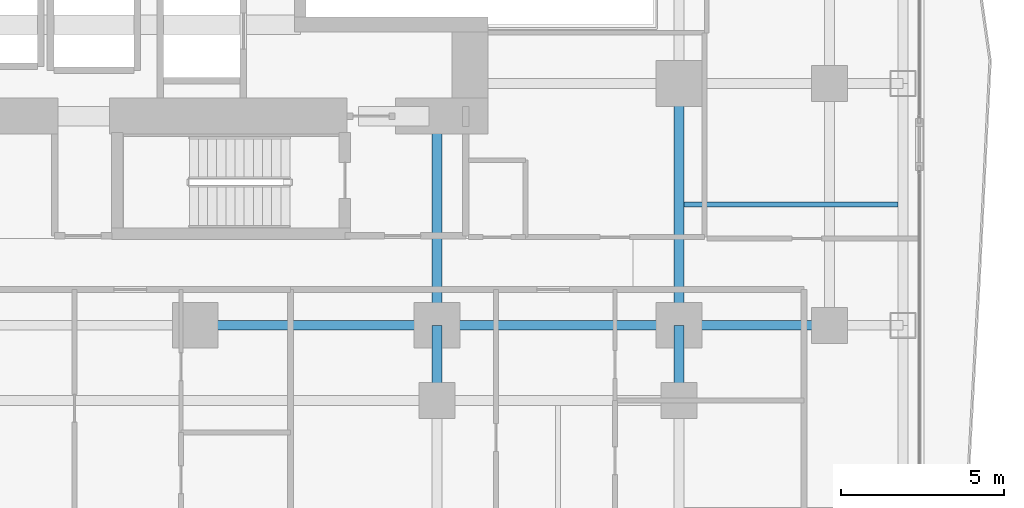
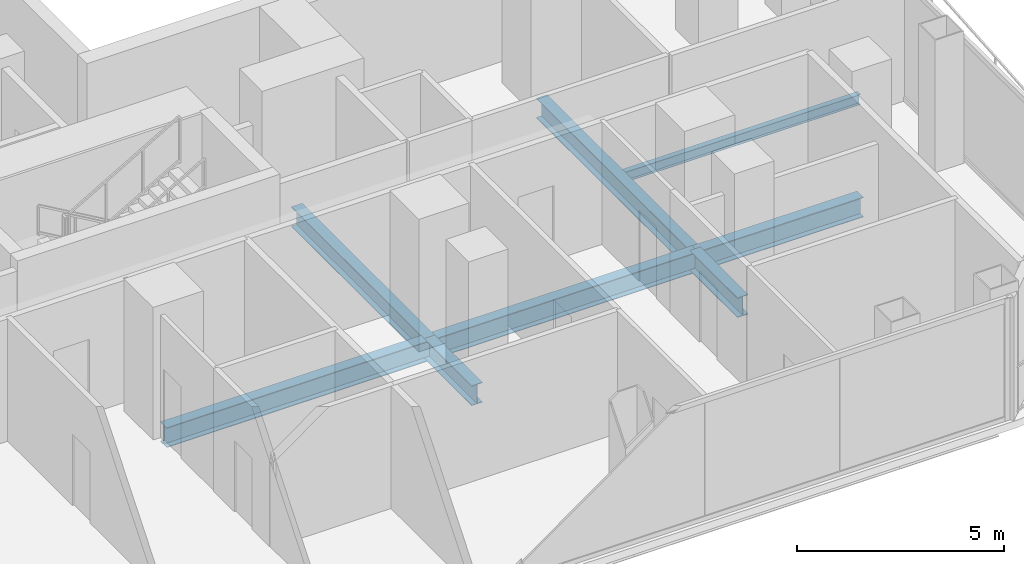
# One storey, part 9 of 29: 8 beams.
"""IFC4 building model written with IfcOpenShell, lengths in metres."""

from ifc_helpers import new_model, si_unit, direction, frame, origin, origin_2d, place, context, subcontext, project, spatial, i_section, extrude, material, material_profile, profile_set, type_object, element, save


model = new_model("IFC4")

# Units and contexts
model_context = context("Model", 3, precision=1e-05, world=origin(), true_north=direction((0.0, 1.0)))
body_context = subcontext(model_context, "Body", "Model", "MODEL_VIEW")
ifc_project = project(units=[si_unit("LENGTHUNIT", "METRE"), si_unit("AREAUNIT", "SQUARE_METRE"), si_unit("VOLUMEUNIT", "CUBIC_METRE"), si_unit("PLANEANGLEUNIT", "RADIAN"), si_unit("MASSUNIT", "GRAM", prefix="KILO")], contexts=[model_context])

# Site, building, storey
site_placement = place(None, origin())
site = spatial("IfcSite", under=ifc_project, at=site_placement, CompositionType="ELEMENT")
building_placement = place(site_placement, origin())
building = spatial("IfcBuilding", under=site, at=building_placement, Name="Khorvyn Point Tower", CompositionType="ELEMENT")
storey_placement = place(building_placement, frame((0.0, 0.0, 73.5)))
storey = spatial("IfcBuildingStorey", under=building, at=storey_placement, Name="L19", CompositionType="ELEMENT", Elevation=73.5)

# Beams
ifc_material = material(Name="Steel S355", Category="steel")
ifc_material_profile_1 = material_profile(ifc_material, i_section(OverallWidth=0.300048828125, OverallDepth=0.587890625, WebThickness=0.011962890625, FlangeThickness=0.02001953125, at=origin_2d()))
ifc_profile_set_1 = profile_set([ifc_material_profile_1], Name="Steel S355 H588x300x12x20")
beam_type_1 = type_object("IfcBeamType", Name="Steel S355 Beam H588x300x12x20", PredefinedType="BEAM", material=ifc_profile_set_1)
beam_1_placement = place(storey_placement, frame((0.0, -14.800048828125, -0.513916015625), z_axis=(1.0, 0.0, 0.0), x_axis=(0.0, 1.0, 0.0)))
element("IfcBeam", 1, at=beam_1_placement, inside=storey, type_object=beam_type_1, Name="Beam", PredefinedType="BEAM", context=body_context, shape_type="SweptSolid", body=[
    extrude(i_section(OverallWidth=0.300048828125, OverallDepth=0.587890625, WebThickness=0.011962890625, FlangeThickness=0.02001953125, at=origin_2d()), origin(), (0.0, 0.0, 1.0), 7.39990234375),
])
beam_2_placement = place(storey_placement, frame((7.39990234375, -14.800048828125, -0.513916015625), z_axis=(1.0, 0.0, 0.0), x_axis=(0.0, 1.0, 0.0)))
element("IfcBeam", 2, at=beam_2_placement, inside=storey, type_object=beam_type_1, Name="Beam", PredefinedType="BEAM", context=body_context, shape_type="SweptSolid", body=[
    extrude(i_section(OverallWidth=0.300048828125, OverallDepth=0.587890625, WebThickness=0.011962890625, FlangeThickness=0.02001953125, at=origin_2d()), origin(), (0.0, 0.0, 1.0), 7.400146484375),
])
beam_3_placement = place(storey_placement, frame((14.800048828125, -14.800048828125, -0.513916015625), z_axis=(1.0, 0.0, 0.0), x_axis=(0.0, 1.0, 0.0)))
element("IfcBeam", 3, at=beam_3_placement, inside=storey, type_object=beam_type_1, Name="Beam", PredefinedType="BEAM", context=body_context, shape_type="SweptSolid", body=[
    extrude(i_section(OverallWidth=0.300048828125, OverallDepth=0.587890625, WebThickness=0.011962890625, FlangeThickness=0.02001953125, at=origin_2d()), origin(), (0.0, 0.0, 1.0), 4.599853515625),
])
beam_4_placement = place(storey_placement, frame((14.800048828125, -17.10009765625, -0.513916015625), z_axis=(0.0, 1.0, 0.0), x_axis=(-1.0, 0.0, 0.0)))
element("IfcBeam", 4, at=beam_4_placement, inside=storey, type_object=beam_type_1, Name="Beam", PredefinedType="BEAM", context=body_context, shape_type="SweptSolid", body=[
    extrude(i_section(OverallWidth=0.300048828125, OverallDepth=0.587890625, WebThickness=0.011962890625, FlangeThickness=0.02001953125, at=origin_2d()), origin(), (0.0, 0.0, 1.0), 2.300048828125),
])
beam_5_placement = place(storey_placement, frame((14.800048828125, -14.800048828125, -0.513916015625), z_axis=(0.0, 1.0, 0.0), x_axis=(-1.0, 0.0, 0.0)))
element("IfcBeam", 5, at=beam_5_placement, inside=storey, type_object=beam_type_1, Name="Beam", PredefinedType="BEAM", context=body_context, shape_type="SweptSolid", body=[
    extrude(i_section(OverallWidth=0.300048828125, OverallDepth=0.587890625, WebThickness=0.011962890625, FlangeThickness=0.02001953125, at=origin_2d()), origin(), (0.0, 0.0, 1.0), 7.400146484375),
])
beam_6_placement = place(storey_placement, frame((7.39990234375, -17.10009765625, -0.513916015625), z_axis=(0.0, 1.0, 0.0), x_axis=(-1.0, 0.0, 0.0)))
element("IfcBeam", 6, at=beam_6_placement, inside=storey, type_object=beam_type_1, Name="Beam", PredefinedType="BEAM", context=body_context, shape_type="SweptSolid", body=[
    extrude(i_section(OverallWidth=0.300048828125, OverallDepth=0.587890625, WebThickness=0.011962890625, FlangeThickness=0.02001953125, at=origin_2d()), origin(), (0.0, 0.0, 1.0), 2.300048828125),
])
beam_7_placement = place(storey_placement, frame((7.39990234375, -14.800048828125, -0.513916015625), z_axis=(0.0, 1.0, 0.0), x_axis=(-1.0, 0.0, 0.0)))
element("IfcBeam", 7, at=beam_7_placement, inside=storey, type_object=beam_type_1, Name="Beam", PredefinedType="BEAM", context=body_context, shape_type="SweptSolid", body=[
    extrude(i_section(OverallWidth=0.300048828125, OverallDepth=0.587890625, WebThickness=0.011962890625, FlangeThickness=0.02001953125, at=origin_2d()), origin(), (0.0, 0.0, 1.0), 6.400146484375),
])
ifc_material_profile_2 = material_profile(ifc_material, i_section(OverallWidth=0.14990234375, OverallDepth=0.300048828125, WebThickness=0.006591796875, FlangeThickness=0.009033203125, at=origin_2d()))
ifc_profile_set_2 = profile_set([ifc_material_profile_2], Name="Steel S355 H300x150x6.5x9")
beam_type_2 = type_object("IfcBeamType", Name="Steel S355 Joist H300x150x6.5x9", PredefinedType="JOIST", material=ifc_profile_set_2)
beam_8_placement = place(storey_placement, frame((14.949951171875, -11.10009765625, -0.3701171875), z_axis=(1.0, 0.0, 0.0), x_axis=(0.0, 1.0, 0.0)))
element("IfcBeam", 8, at=beam_8_placement, inside=storey, type_object=beam_type_2, Name="Beam", PredefinedType="JOIST", context=body_context, shape_type="SweptSolid", body=[
    extrude(i_section(OverallWidth=0.14990234375, OverallDepth=0.300048828125, WebThickness=0.006591796875, FlangeThickness=0.009033203125, at=origin_2d()), origin(), (0.0, 0.0, 1.0), 6.550048828125),
])

save(model, "model.ifc")
